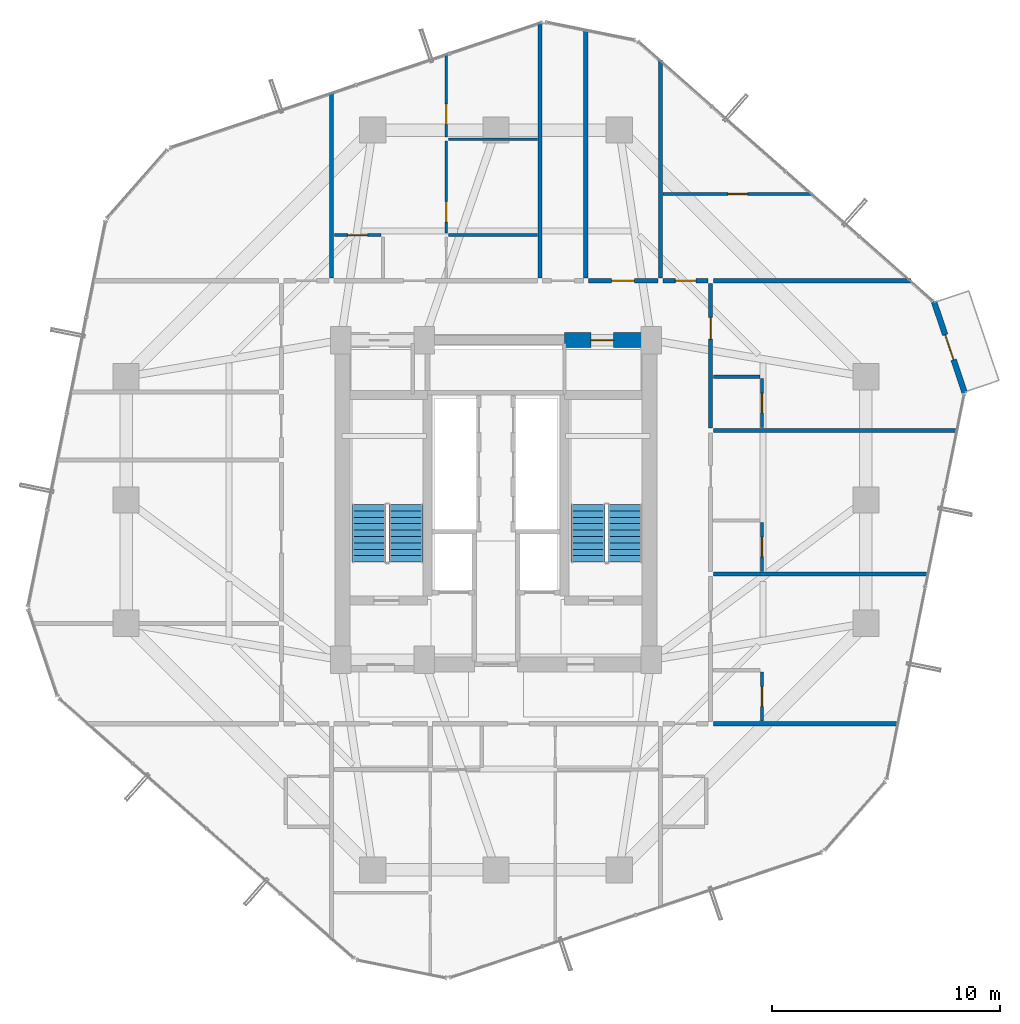
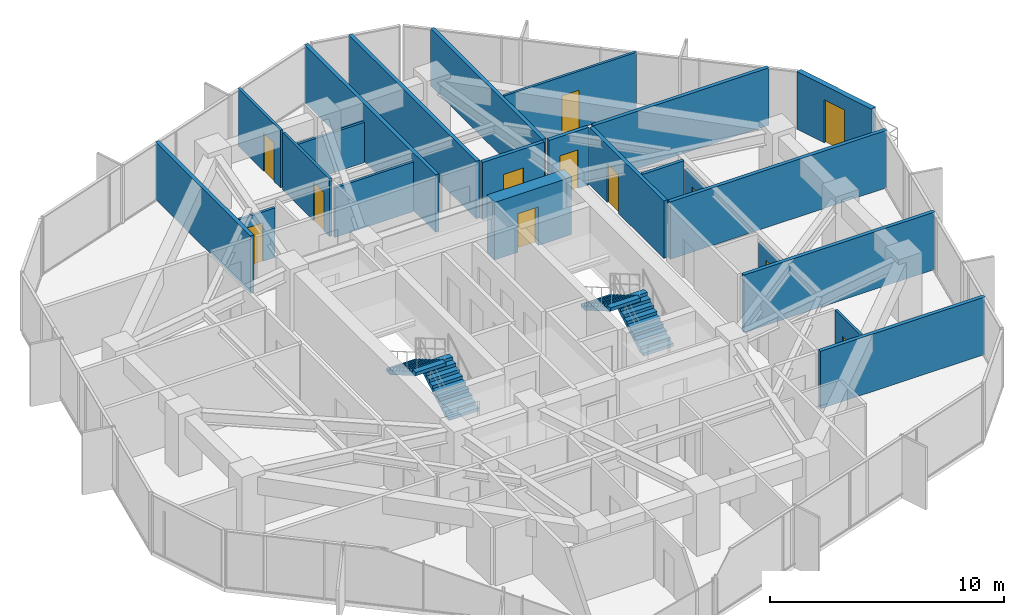
# One storey, part 30 of 32: 23 walls, 12 doors, 4 stair flights, 12 openings, 2 elements without a shape of their own.
"""IFC4 building model written with IfcOpenShell, lengths in metres."""

from ifc_helpers import new_model, si_unit, direction, frame, frame_2d, origin, place, context, subcontext, project, spatial, polyline, rectangle, outline, extrude, source, transform, mapped, material, layer, layer_set, type_object, element, fill, aggregate, save


model = new_model("IFC4")

# Units and contexts
model_context = context("Model", 3, precision=1e-05, world=origin(), true_north=direction((0.0, 1.0)))
body_context = subcontext(model_context, "Body", "Model", "MODEL_VIEW")
ifc_project = project(units=[si_unit("LENGTHUNIT", "METRE"), si_unit("AREAUNIT", "SQUARE_METRE"), si_unit("VOLUMEUNIT", "CUBIC_METRE"), si_unit("PLANEANGLEUNIT", "RADIAN"), si_unit("MASSUNIT", "GRAM", prefix="KILO")], contexts=[model_context])

# Site, building, storey
site_placement = place(None, origin())
site = spatial("IfcSite", under=ifc_project, at=site_placement, CompositionType="ELEMENT")
building_placement = place(site_placement, origin())
building = spatial("IfcBuilding", under=site, at=building_placement, Name="Veraguas Prism Commons", CompositionType="ELEMENT")
storey_placement = place(building_placement, frame((0.0, 0.0, 89.449951171875)))
storey = spatial("IfcBuildingStorey", under=building, at=storey_placement, Name="L24", CompositionType="ELEMENT", Elevation=89.449951171875)

# Wall, opening, door
ifc_material_1 = material(Name="Concrete C55/67", Category="concrete")
ifc_layer_1 = layer(ifc_material_1, 0.64990234375, Name="Core Outer Shear Wall Mid RC 650", Category="concrete")
ifc_layer_set_1 = layer_set([ifc_layer_1], Name="Concrete C55/67")
wall_type_1 = type_object("IfcWallType", Name="Core Outer Shear Wall Mid RC 650", PredefinedType="SHEAR", material=ifc_layer_set_1)
wall_1_placement = place(storey_placement, frame((27.0, 31.0, 0.0), z_axis=(0.0, 0.0, 1.0), x_axis=(1.0, 0.0, 0.0)))
wall_1 = element("IfcWall", 1, at=wall_1_placement, inside=storey, type_object=wall_type_1, Name="Central Core North-East Shear Wall L24", PredefinedType="SHEAR", context=body_context, shape_type="SweptSolid", body=[
    extrude(rectangle(XDim=3.800048828125, YDim=0.64990234375, at=frame_2d((1.89990234375, 0.0))), origin(), (0.0, 0.0, 1.0), 3.0),
])
opening_1_placement = place(wall_1_placement, frame((1.14990234375, 0.0, 0.0)))
opening_1 = element("IfcOpeningElement", 2, at=opening_1_placement, cuts=wall_1, Name="Opening DR-13", PredefinedType="OPENING", context=body_context, shape_type="SweptSolid", body=[
    extrude(rectangle(XDim=1.0, YDim=2.010009765625, at=frame_2d((0.5, 1.0048828125))), frame((0.0, 0.3349609375, 0.0), z_axis=(0.0, -1.0, 0.0), x_axis=(1.0, 0.0, 0.0)), (0.0, 0.0, 1.0), 0.669921875),
])
ifc_material_2 = material(Name="Steel fire-rated door assembly", Category="steel")
door_type_1 = type_object("IfcDoorType", Name="Core Accessible WC and Clinic Fire Door 1000x2010", OperationType="NOTDEFINED", PredefinedType="DOOR", material=ifc_material_2)
shared_shape_1 = source(origin(), body_context, "Body", "SweptSolid", [
    extrude(rectangle(XDim=1.0, YDim=2.010009765625, at=frame_2d((0.5, 1.0048828125))), frame((0.0, 0.02490234375, 0.0), z_axis=(0.0, -1.0, 0.0), x_axis=(1.0, 0.0, 0.0)), (0.0, 0.0, 1.0), 0.050048828125),
])
door_1_placement = place(opening_1_placement, origin())
door_1 = element("IfcDoor", 3, at=door_1_placement, inside=storey, type_object=door_type_1, Name="Core NE Pantry Door L24", OperationType="SINGLE_SWING_LEFT", OverallHeight=2.010009765625, OverallWidth=1.0, PredefinedType="DOOR", context=body_context, shape_type="MappedRepresentation", body=[
    mapped(shared_shape_1, transform((0.0, 0.0, 0.0), scale=1.0)),
])
fill(opening_1, door_1)

# Walls
ifc_material_3 = material(Name="Autoclaved aerated masonry block 10 MPa", Category="masonry")
ifc_layer_2 = layer(ifc_material_3, 0.179931640625, Name="Corridor and Inter-Tenancy Partition 180", Category="masonry")
ifc_layer_set_2 = layer_set([ifc_layer_2], Name="Autoclaved aerated masonry block 10 MPa")
wall_type_2 = type_object("IfcWallType", Name="Corridor and Inter-Tenancy Partition 180", PredefinedType="PARTITIONING", material=ifc_layer_set_2)
wall_2_placement = place(storey_placement, frame((16.800048828125, 33.719970703125, 0.0), z_axis=(0.0, 0.0, 1.0), x_axis=(0.0, 1.0, 0.0)))
element("IfcWall", 4, at=wall_2_placement, inside=storey, type_object=wall_type_2, Name="WL-L24-PT015", PredefinedType="PARTITIONING", context=body_context, shape_type="SweptSolid", body=[
    extrude(rectangle(XDim=8.1279296875, YDim=0.179931640625, at=frame_2d((4.06396484375, 0.0))), origin(), (0.0, 0.0, 1.0), 3.0),
])
wall_3_placement = place(storey_placement, frame((31.199951171875, 33.719970703125, 0.0), z_axis=(0.0, 0.0, 1.0), x_axis=(0.0, 1.0, 0.0)))
element("IfcWall", 5, at=wall_3_placement, inside=storey, type_object=wall_type_2, Name="WL-L24-PT016", PredefinedType="PARTITIONING", context=body_context, shape_type="SweptSolid", body=[
    extrude(rectangle(XDim=9.541748046875, YDim=0.179931640625, at=frame_2d((4.77099609375, 0.0))), origin(), (0.0, 0.0, 1.0), 3.0),
])
wall_4_placement = place(storey_placement, frame((25.927978515625, 33.719970703125, 0.0), z_axis=(0.0, 0.0, 1.0), x_axis=(0.0, 1.0, 0.0)))
element("IfcWall", 6, at=wall_4_placement, inside=storey, type_object=wall_type_2, Name="WL-L24-PT025", PredefinedType="PARTITIONING", context=body_context, shape_type="SweptSolid", body=[
    extrude(rectangle(XDim=11.203125, YDim=0.179931640625, at=frame_2d((5.6015625, 0.0))), origin(), (0.0, 0.0, 1.0), 3.0),
])

# Wall, opening, door
wall_5_placement = place(storey_placement, frame((28.041015625, 33.60009765625, 0.0), z_axis=(0.0, 0.0, 1.0), x_axis=(1.0, 0.0, 0.0)))
wall_5 = element("IfcWall", 7, at=wall_5_placement, inside=storey, type_object=wall_type_2, Name="WL-L24-PT027", PredefinedType="PARTITIONING", context=body_context, shape_type="SweptSolid", body=[
    extrude(rectangle(XDim=3.049072265625, YDim=0.179931640625, at=frame_2d((1.5244140625, 0.0))), origin(), (0.0, 0.0, 1.0), 3.0),
])
opening_2_placement = place(wall_5_placement, frame((1.0244140625, 0.0, 0.0)))
opening_2 = element("IfcOpeningElement", 8, at=opening_2_placement, cuts=wall_5, Name="Opening DR-13", PredefinedType="OPENING", context=body_context, shape_type="SweptSolid", body=[
    extrude(rectangle(XDim=1.0, YDim=2.010009765625, at=frame_2d((0.5, 1.0048828125))), frame((0.0, 0.099853515625, 0.0), z_axis=(0.0, -1.0, 0.0), x_axis=(1.0, 0.0, 0.0)), (0.0, 0.0, 1.0), 0.199951171875),
])
door_2_placement = place(opening_2_placement, origin())
door_2 = element("IfcDoor", 9, at=door_2_placement, inside=storey, type_object=door_type_1, Name="Co-op Store N Door", OperationType="SINGLE_SWING_LEFT", OverallHeight=2.010009765625, OverallWidth=1.0, PredefinedType="DOOR", context=body_context, shape_type="MappedRepresentation", body=[
    mapped(shared_shape_1, transform((0.0, 0.0, 0.0), scale=1.0)),
])
fill(opening_2, door_2)

# Walls
wall_6_placement = place(storey_placement, frame((27.930908203125, 33.719970703125, 0.0), z_axis=(0.0, 0.0, 1.0), x_axis=(0.0, 1.0, 0.0)))
element("IfcWall", 10, at=wall_6_placement, inside=storey, type_object=wall_type_2, Name="WL-L24-PT028", PredefinedType="PARTITIONING", context=body_context, shape_type="SweptSolid", body=[
    extrude(rectangle(XDim=10.890625, YDim=0.179931640625, at=frame_2d((5.4453125, 0.0))), origin(), (0.0, 0.0, 1.0), 3.0),
])
wall_7_placement = place(storey_placement, frame((33.52001953125, 14.199951171875, 0.0), z_axis=(0.0, 0.0, 1.0), x_axis=(1.0, 0.0, 0.0)))
element("IfcWall", 11, at=wall_7_placement, inside=storey, type_object=wall_type_2, Name="WL-L24-PT038", PredefinedType="PARTITIONING", context=body_context, shape_type="SweptSolid", body=[
    extrude(rectangle(XDim=8.105224609375, YDim=0.179931640625, at=frame_2d((4.052734375, 0.0))), origin(), (0.0, 0.0, 1.0), 3.0),
])
wall_8_placement = place(storey_placement, frame((33.52001953125, 33.60009765625, 0.0), z_axis=(0.0, 0.0, 1.0), x_axis=(1.0, 0.0, 0.0)))
element("IfcWall", 12, at=wall_8_placement, inside=storey, type_object=wall_type_2, Name="WL-L24-PT039", PredefinedType="PARTITIONING", context=body_context, shape_type="SweptSolid", body=[
    extrude(rectangle(XDim=8.646728515625, YDim=0.179931640625, at=frame_2d((4.3232421875, 0.0))), origin(), (0.0, 0.0, 1.0), 3.0),
])
wall_9_placement = place(storey_placement, frame((33.52001953125, 20.751953125, 0.0), z_axis=(0.0, 0.0, 1.0), x_axis=(1.0, 0.0, 0.0)))
element("IfcWall", 13, at=wall_9_placement, inside=storey, type_object=wall_type_2, Name="WL-L24-PT043", PredefinedType="PARTITIONING", context=body_context, shape_type="SweptSolid", body=[
    extrude(rectangle(XDim=9.424072265625, YDim=0.179931640625, at=frame_2d((4.7119140625, 0.0))), origin(), (0.0, 0.0, 1.0), 3.0),
])
wall_10_placement = place(storey_placement, frame((33.52001953125, 27.048095703125, 0.0), z_axis=(0.0, 0.0, 1.0), x_axis=(1.0, 0.0, 0.0)))
element("IfcWall", 14, at=wall_10_placement, inside=storey, type_object=wall_type_2, Name="WL-L24-PT047", PredefinedType="PARTITIONING", context=body_context, shape_type="SweptSolid", body=[
    extrude(rectangle(XDim=10.691162109375, YDim=0.179931640625, at=frame_2d((5.345703125, 0.0))), origin(), (0.0, 0.0, 1.0), 3.0),
])

# Wall, opening, door
wall_11_placement = place(storey_placement, frame((33.39990234375, 27.157958984375, 0.0), z_axis=(0.0, 0.0, 1.0), x_axis=(0.0, 1.0, 0.0)))
wall_11 = element("IfcWall", 15, at=wall_11_placement, inside=storey, type_object=wall_type_2, Name="WL-L24-PT048", PredefinedType="PARTITIONING", context=body_context, shape_type="SweptSolid", body=[
    extrude(rectangle(XDim=6.33203125, YDim=0.179931640625, at=frame_2d((3.166015625, 0.0))), origin(), (0.0, 0.0, 1.0), 3.0),
])
opening_3_placement = place(wall_11_placement, frame((3.88671875, 0.0, 0.0)))
opening_3 = element("IfcOpeningElement", 16, at=opening_3_placement, cuts=wall_11, Name="Opening DR-01", PredefinedType="OPENING", context=body_context, shape_type="SweptSolid", body=[
    extrude(rectangle(XDim=0.949951171875, YDim=2.02001953125, at=frame_2d((0.47509765625, 1.010009765625))), frame((0.0, 0.099853515625, 0.0), z_axis=(0.0, -1.0, 0.0), x_axis=(1.0, 0.0, 0.0)), (0.0, 0.0, 1.0), 0.199951171875),
])
ifc_material_4 = material(Name="Anodised aluminium EN AW-6063 T6", Category="aluminium")
door_type_2 = type_object("IfcDoorType", Name="Apartment Entrance Fire Door 950x2020", OperationType="NOTDEFINED", PredefinedType="DOOR", material=ifc_material_4)
shared_shape_2 = source(origin(), body_context, "Body", "SweptSolid", [
    extrude(rectangle(XDim=0.949951171875, YDim=2.02001953125, at=frame_2d((0.47509765625, 1.010009765625))), frame((0.0, 0.02490234375, 0.0), z_axis=(0.0, -1.0, 0.0), x_axis=(1.0, 0.0, 0.0)), (0.0, 0.0, 1.0), 0.050048828125),
])
door_3_placement = place(opening_3_placement, origin())
door_3 = element("IfcDoor", 17, at=door_3_placement, inside=storey, type_object=door_type_2, Name="Studio 24E Entrance Door", OperationType="SINGLE_SWING_RIGHT", OverallHeight=2.02001953125, OverallWidth=0.949951171875, PredefinedType="DOOR", context=body_context, shape_type="MappedRepresentation", body=[
    mapped(shared_shape_2, transform((0.0, 0.0, 0.0), scale=1.0)),
])
fill(opening_3, door_3)

wall_12_placement = place(storey_placement, frame((31.320068359375, 33.60009765625, 0.0), z_axis=(0.0, 0.0, 1.0), x_axis=(1.0, 0.0, 0.0)))
wall_12 = element("IfcWall", 18, at=wall_12_placement, inside=storey, type_object=wall_type_2, Name="WL-L24-PT060", PredefinedType="PARTITIONING", context=body_context, shape_type="SweptSolid", body=[
    extrude(rectangle(XDim=1.9599609375, YDim=0.179931640625, at=frame_2d((0.97998046875, 0.0))), origin(), (0.0, 0.0, 1.0), 3.0),
])
opening_4_placement = place(wall_12_placement, frame((0.530029296875, 0.0, 0.0)))
opening_4 = element("IfcOpeningElement", 19, at=opening_4_placement, cuts=wall_12, Name="Opening DR-14", PredefinedType="OPENING", context=body_context, shape_type="SweptSolid", body=[
    extrude(rectangle(XDim=0.89990234375, YDim=2.010009765625, at=frame_2d((0.449951171875, 1.0048828125))), frame((0.0, 0.099853515625, 0.0), z_axis=(0.0, -1.0, 0.0), x_axis=(1.0, 0.0, 0.0)), (0.0, 0.0, 1.0), 0.199951171875),
])
door_type_3 = type_object("IfcDoorType", Name="Core Service Room Fire Door 900x2010", OperationType="NOTDEFINED", PredefinedType="DOOR", material=ifc_material_2)
shared_shape_3 = source(origin(), body_context, "Body", "SweptSolid", [
    extrude(rectangle(XDim=0.89990234375, YDim=2.010009765625, at=frame_2d((0.449951171875, 1.0048828125))), frame((0.0, 0.02490234375, 0.0), z_axis=(0.0, -1.0, 0.0), x_axis=(1.0, 0.0, 0.0)), (0.0, 0.0, 1.0), 0.050048828125),
])
door_4_placement = place(opening_4_placement, origin())
door_4 = element("IfcDoor", 20, at=door_4_placement, inside=storey, type_object=door_type_3, Name="Shared Laundry Room Door", OperationType="SINGLE_SWING_LEFT", OverallHeight=2.010009765625, OverallWidth=0.89990234375, PredefinedType="DOOR", context=body_context, shape_type="MappedRepresentation", body=[
    mapped(shared_shape_3, transform((0.0, 0.0, 0.0), scale=1.0)),
])
fill(opening_4, door_4)

ifc_material_5 = material(Name="Precast concrete C40/50", Category="concrete")
ifc_layer_3 = layer(ifc_material_5, 0.25, Name="External Loggia and Portal Wall 250", Category="concrete")
ifc_layer_set_3 = layer_set([ifc_layer_3], Name="Precast concrete C40/50")
wall_type_3 = type_object("IfcWallType", Name="External Loggia and Portal Wall 250", PredefinedType="SOLIDWALL", material=ifc_layer_set_3)
wall_13_placement = place(storey_placement, frame((44.5302734375, 28.68359375, 0.0), z_axis=(0.0, 0.0, 1.0), x_axis=(-0.319271209233, 0.947663386944, 0.0)))
wall_13 = element("IfcWall", 21, at=wall_13_placement, inside=storey, type_object=wall_type_3, Name="Corner Loggia Wall L24-C1", PredefinedType="SOLIDWALL", context=body_context, shape_type="SweptSolid", body=[
    extrude(rectangle(XDim=4.233154296875, YDim=0.25, at=frame_2d((2.11669921875, 0.0))), origin(), (0.0, 0.0, 1.0), 3.0),
])
opening_5_placement = place(wall_13_placement, frame((1.5419921875, 0.0, 0.0)))
opening_5 = element("IfcOpeningElement", 22, at=opening_5_placement, cuts=wall_13, Name="Opening DR-10", PredefinedType="OPENING", context=body_context, shape_type="SweptSolid", body=[
    extrude(rectangle(XDim=1.14990234375, YDim=2.25, at=frame_2d((0.574951171875, 1.125))), frame((0.0, 0.135009765625, 0.0), z_axis=(0.0, -1.0, 0.0), x_axis=(1.0, 0.0, 0.0)), (0.0, 0.0, 1.0), 0.27001953125),
])
door_type_4 = type_object("IfcDoorType", Name="Glazed Loggia and Terrace Door 1150x2250", OperationType="NOTDEFINED", PredefinedType="DOOR", material=ifc_material_4)
shared_shape_4 = source(origin(), body_context, "Body", "SweptSolid", [
    extrude(rectangle(XDim=1.14990234375, YDim=2.25, at=frame_2d((0.574951171875, 1.125))), frame((0.0, 0.02490234375, 0.0), z_axis=(0.0, -1.0, 0.0), x_axis=(1.0, 0.0, 0.0)), (0.0, 0.0, 1.0), 0.050048828125),
])
door_5_placement = place(opening_5_placement, frame((1.14990234375, 0.0, 0.0), z_axis=(0.0, 0.0, 1.0), x_axis=(-1.0, 0.0, 0.0)))
door_5 = element("IfcDoor", 23, at=door_5_placement, inside=storey, type_object=door_type_4, Name="Recessed Loggia Door L24-C1", OperationType="SINGLE_SWING_RIGHT", OverallHeight=2.25, OverallWidth=1.14990234375, PredefinedType="DOOR", context=body_context, shape_type="MappedRepresentation", body=[
    mapped(shared_shape_4, transform((0.0, 0.0, 0.0), scale=1.0)),
])
fill(opening_5, door_5)

ifc_material_6 = material(Name="Lightweight acoustic gypsum board")
ifc_layer_4 = layer(ifc_material_6, 0.125, Name="Internal Apartment Room Partition 125")
ifc_layer_set_4 = layer_set([ifc_layer_4], Name="Lightweight acoustic gypsum board")
wall_type_4 = type_object("IfcWallType", Name="Internal Apartment Room Partition 125", PredefinedType="PARTITIONING", material=ifc_layer_set_4)
wall_14_placement = place(storey_placement, frame((16.919921875, 35.60009765625, 0.0), z_axis=(0.0, 0.0, 1.0), x_axis=(1.0, 0.0, 0.0)))
wall_14 = element("IfcWall", 24, at=wall_14_placement, inside=storey, type_object=wall_type_4, Name="WL-L24-PT019", PredefinedType="PARTITIONING", context=body_context, shape_type="SweptSolid", body=[
    extrude(rectangle(XDim=2.050048828125, YDim=0.125, at=frame_2d((1.02490234375, 0.0))), origin(), (0.0, 0.0, 1.0), 2.580078125),
])
opening_6_placement = place(wall_14_placement, frame((0.594970703125, 0.0, 0.0)))
opening_6 = element("IfcOpeningElement", 25, at=opening_6_placement, cuts=wall_14, Name="Opening DR-03", PredefinedType="OPENING", context=body_context, shape_type="SweptSolid", body=[
    extrude(rectangle(XDim=0.860107421875, YDim=2.010009765625, at=frame_2d((0.43017578125, 1.0048828125))), frame((0.0, 0.072509765625, 0.0), z_axis=(0.0, -1.0, 0.0), x_axis=(1.0, 0.0, 0.0)), (0.0, 0.0, 1.0), 0.14501953125),
])
ifc_material_7 = material(Name="Timber moisture-resistant leaf", Category="wood")
door_type_5 = type_object("IfcDoorType", Name="Internal Bathroom Door 860x2010", OperationType="NOTDEFINED", PredefinedType="DOOR", material=ifc_material_7)
shared_shape_5 = source(origin(), body_context, "Body", "SweptSolid", [
    extrude(rectangle(XDim=0.860107421875, YDim=2.010009765625, at=frame_2d((0.43017578125, 1.0048828125))), frame((0.0, 0.02490234375, 0.0), z_axis=(0.0, -1.0, 0.0), x_axis=(1.0, 0.0, 0.0)), (0.0, 0.0, 1.0), 0.050048828125),
])
door_6_placement = place(opening_6_placement, origin())
door_6 = element("IfcDoor", 26, at=door_6_placement, inside=storey, type_object=door_type_5, Name="Flat 24B Bathroom Door", OperationType="SINGLE_SWING_RIGHT", OverallHeight=2.010009765625, OverallWidth=0.860107421875, PredefinedType="DOOR", context=body_context, shape_type="MappedRepresentation", body=[
    mapped(shared_shape_5, transform((0.0, 0.0, 0.0), scale=1.0)),
])
fill(opening_6, door_6)

# Walls
wall_15_placement = place(storey_placement, frame((21.919921875, 35.60009765625, 0.0), z_axis=(0.0, 0.0, 1.0), x_axis=(1.0, 0.0, 0.0)))
element("IfcWall", 27, at=wall_15_placement, inside=storey, type_object=wall_type_4, Name="WL-L24-PT021", PredefinedType="PARTITIONING", context=body_context, shape_type="SweptSolid", body=[
    extrude(rectangle(XDim=3.88818359375, YDim=0.125, at=frame_2d((1.944091796875, 0.0))), origin(), (0.0, 0.0, 1.0), 2.580078125),
])
wall_16_placement = place(storey_placement, frame((21.919921875, 39.800048828125, 0.0), z_axis=(0.0, 0.0, 1.0), x_axis=(1.0, 0.0, 0.0)))
element("IfcWall", 28, at=wall_16_placement, inside=storey, type_object=wall_type_4, Name="WL-L24-PT022", PredefinedType="PARTITIONING", context=body_context, shape_type="SweptSolid", body=[
    extrude(rectangle(XDim=3.88818359375, YDim=0.125, at=frame_2d((1.944091796875, 0.0))), origin(), (0.0, 0.0, 1.0), 2.10009765625),
])

# Wall, opening, door
wall_17_placement = place(storey_placement, frame((21.820068359375, 35.699951171875, 0.0), z_axis=(0.0, 0.0, 1.0), x_axis=(0.0, 1.0, 0.0)))
wall_17 = element("IfcWall", 29, at=wall_17_placement, inside=storey, type_object=wall_type_4, Name="WL-L24-PT023", PredefinedType="PARTITIONING", context=body_context, shape_type="SweptSolid", body=[
    extrude(rectangle(XDim=4.02001953125, YDim=0.125, at=frame_2d((2.010009765625, 0.0))), origin(), (0.0, 0.0, 1.0), 3.0),
])
opening_7_placement = place(wall_17_placement, frame((0.471923828125, 0.0, 0.0)))
opening_7 = element("IfcOpeningElement", 30, at=opening_7_placement, cuts=wall_17, Name="Opening DR-02", PredefinedType="OPENING", context=body_context, shape_type="SweptSolid", body=[
    extrude(rectangle(XDim=0.89990234375, YDim=2.010009765625, at=frame_2d((0.449951171875, 1.0048828125))), frame((0.0, 0.072509765625, 0.0), z_axis=(0.0, -1.0, 0.0), x_axis=(1.0, 0.0, 0.0)), (0.0, 0.0, 1.0), 0.14501953125),
])
ifc_material_8 = material(Name="Timber solid core hardwood", Category="wood")
door_type_6 = type_object("IfcDoorType", Name="Internal Habitable Room Door 900x2010", OperationType="NOTDEFINED", PredefinedType="DOOR", material=ifc_material_8)
door_7_placement = place(opening_7_placement, origin())
door_7 = element("IfcDoor", 31, at=door_7_placement, inside=storey, type_object=door_type_6, Name="Flat 24B Bedroom 1 Door", OperationType="SINGLE_SWING_RIGHT", OverallHeight=2.010009765625, OverallWidth=0.89990234375, PredefinedType="DOOR", context=body_context, shape_type="MappedRepresentation", body=[
    mapped(shared_shape_3, transform((0.0, 0.0, 0.0), scale=1.0)),
])
fill(opening_7, door_7)

wall_18_placement = place(storey_placement, frame((21.820068359375, 39.89990234375, 0.0), z_axis=(0.0, 0.0, 1.0), x_axis=(0.0, 1.0, 0.0)))
wall_18 = element("IfcWall", 32, at=wall_18_placement, inside=storey, type_object=wall_type_4, Name="WL-L24-PT024", PredefinedType="PARTITIONING", context=body_context, shape_type="SweptSolid", body=[
    extrude(rectangle(XDim=3.63916015625, YDim=0.125, at=frame_2d((1.819580078125, 0.0))), origin(), (0.0, 0.0, 1.0), 3.0),
])
opening_8_placement = place(wall_18_placement, frame((0.55078125, 0.0, 0.0)))
opening_8 = element("IfcOpeningElement", 33, at=opening_8_placement, cuts=wall_18, Name="Opening DR-02", PredefinedType="OPENING", context=body_context, shape_type="SweptSolid", body=[
    extrude(rectangle(XDim=0.89990234375, YDim=2.010009765625, at=frame_2d((0.449951171875, 1.0048828125))), frame((0.0, 0.072509765625, 0.0), z_axis=(0.0, -1.0, 0.0), x_axis=(1.0, 0.0, 0.0)), (0.0, 0.0, 1.0), 0.14501953125),
])
door_8_placement = place(opening_8_placement, origin())
door_8 = element("IfcDoor", 34, at=door_8_placement, inside=storey, type_object=door_type_6, Name="Flat 24B Bedroom 2 Door", OperationType="SINGLE_SWING_LEFT", OverallHeight=2.010009765625, OverallWidth=0.89990234375, PredefinedType="DOOR", context=body_context, shape_type="MappedRepresentation", body=[
    mapped(shared_shape_3, transform((0.0, 0.0, 0.0), scale=1.0)),
])
fill(opening_8, door_8)

wall_19_placement = place(storey_placement, frame((35.64990234375, 14.320068359375, 0.0), z_axis=(0.0, 0.0, 1.0), x_axis=(0.0, 1.0, 0.0)))
wall_19 = element("IfcWall", 35, at=wall_19_placement, inside=storey, type_object=wall_type_4, Name="WL-L24-PT042", PredefinedType="PARTITIONING", context=body_context, shape_type="SweptSolid", body=[
    extrude(rectangle(XDim=2.14990234375, YDim=0.125, at=frame_2d((1.074951171875, 0.0))), origin(), (0.0, 0.0, 1.0), 3.0),
])
opening_9_placement = place(wall_19_placement, frame((0.64501953125, 0.0, 0.0)))
opening_9 = element("IfcOpeningElement", 36, at=opening_9_placement, cuts=wall_19, Name="Opening DR-03", PredefinedType="OPENING", context=body_context, shape_type="SweptSolid", body=[
    extrude(rectangle(XDim=0.860107421875, YDim=2.010009765625, at=frame_2d((0.43017578125, 1.0048828125))), frame((0.0, 0.072509765625, 0.0), z_axis=(0.0, -1.0, 0.0), x_axis=(1.0, 0.0, 0.0)), (0.0, 0.0, 1.0), 0.14501953125),
])
door_9_placement = place(opening_9_placement, origin())
door_9 = element("IfcDoor", 37, at=door_9_placement, inside=storey, type_object=door_type_5, Name="Studio 24C Bathroom Door", OperationType="SINGLE_SWING_LEFT", OverallHeight=2.010009765625, OverallWidth=0.860107421875, PredefinedType="DOOR", context=body_context, shape_type="MappedRepresentation", body=[
    mapped(shared_shape_5, transform((0.0, 0.0, 0.0), scale=1.0)),
])
fill(opening_9, door_9)

wall_20_placement = place(storey_placement, frame((35.64990234375, 20.8720703125, 0.0), z_axis=(0.0, 0.0, 1.0), x_axis=(0.0, 1.0, 0.0)))
wall_20 = element("IfcWall", 38, at=wall_20_placement, inside=storey, type_object=wall_type_4, Name="WL-L24-PT046", PredefinedType="PARTITIONING", context=body_context, shape_type="SweptSolid", body=[
    extrude(rectangle(XDim=2.14990234375, YDim=0.125, at=frame_2d((1.074951171875, 0.0))), origin(), (0.0, 0.0, 1.0), 2.580078125),
])
opening_10_placement = place(wall_20_placement, frame((0.64501953125, 0.0, 0.0)))
opening_10 = element("IfcOpeningElement", 39, at=opening_10_placement, cuts=wall_20, Name="Opening DR-03", PredefinedType="OPENING", context=body_context, shape_type="SweptSolid", body=[
    extrude(rectangle(XDim=0.860107421875, YDim=2.010009765625, at=frame_2d((0.43017578125, 1.0048828125))), frame((0.0, 0.072509765625, 0.0), z_axis=(0.0, -1.0, 0.0), x_axis=(1.0, 0.0, 0.0)), (0.0, 0.0, 1.0), 0.14501953125),
])
door_10_placement = place(opening_10_placement, origin())
door_10 = element("IfcDoor", 40, at=door_10_placement, inside=storey, type_object=door_type_5, Name="Studio 24D Bathroom Door", OperationType="SINGLE_SWING_LEFT", OverallHeight=2.010009765625, OverallWidth=0.860107421875, PredefinedType="DOOR", context=body_context, shape_type="MappedRepresentation", body=[
    mapped(shared_shape_5, transform((0.0, 0.0, 0.0), scale=1.0)),
])
fill(opening_10, door_10)

wall_21_placement = place(storey_placement, frame((35.64990234375, 27.16796875, 0.0), z_axis=(0.0, 0.0, 1.0), x_axis=(0.0, 1.0, 0.0)))
wall_21 = element("IfcWall", 41, at=wall_21_placement, inside=storey, type_object=wall_type_4, Name="WL-L24-PT050", PredefinedType="PARTITIONING", context=body_context, shape_type="SweptSolid", body=[
    extrude(rectangle(XDim=2.150146484375, YDim=0.125, at=frame_2d((1.0751953125, 0.0))), origin(), (0.0, 0.0, 1.0), 2.580078125),
])
opening_11_placement = place(wall_21_placement, frame((0.64501953125, 0.0, 0.0)))
opening_11 = element("IfcOpeningElement", 42, at=opening_11_placement, cuts=wall_21, Name="Opening DR-03", PredefinedType="OPENING", context=body_context, shape_type="SweptSolid", body=[
    extrude(rectangle(XDim=0.860107421875, YDim=2.010009765625, at=frame_2d((0.43017578125, 1.0048828125))), frame((0.0, 0.072509765625, 0.0), z_axis=(0.0, -1.0, 0.0), x_axis=(1.0, 0.0, 0.0)), (0.0, 0.0, 1.0), 0.14501953125),
])
door_11_placement = place(opening_11_placement, origin())
door_11 = element("IfcDoor", 43, at=door_11_placement, inside=storey, type_object=door_type_5, Name="Studio 24E Bathroom Door", OperationType="SINGLE_SWING_LEFT", OverallHeight=2.010009765625, OverallWidth=0.860107421875, PredefinedType="DOOR", context=body_context, shape_type="MappedRepresentation", body=[
    mapped(shared_shape_5, transform((0.0, 0.0, 0.0), scale=1.0)),
])
fill(opening_11, door_11)

wall_22_placement = place(storey_placement, frame((31.320068359375, 37.39990234375, 0.0), z_axis=(0.0, 0.0, 1.0), x_axis=(1.0, 0.0, 0.0)))
wall_22 = element("IfcWall", 44, at=wall_22_placement, inside=storey, type_object=wall_type_4, Name="WL-L24-PT061", PredefinedType="PARTITIONING", context=body_context, shape_type="SweptSolid", body=[
    extrude(rectangle(XDim=6.533447265625, YDim=0.125, at=frame_2d((3.2666015625, 0.0))), origin(), (0.0, 0.0, 1.0), 3.0),
])
opening_12_placement = place(wall_22_placement, frame((2.836669921875, 0.0, 0.0)))
opening_12 = element("IfcOpeningElement", 45, at=opening_12_placement, cuts=wall_22, Name="Opening DR-03", PredefinedType="OPENING", context=body_context, shape_type="SweptSolid", body=[
    extrude(rectangle(XDim=0.860107421875, YDim=2.010009765625, at=frame_2d((0.43017578125, 1.0048828125))), frame((0.0, 0.072509765625, 0.0), z_axis=(0.0, -1.0, 0.0), x_axis=(1.0, 0.0, 0.0)), (0.0, 0.0, 1.0), 0.14501953125),
])
door_12_placement = place(opening_12_placement, origin())
door_12 = element("IfcDoor", 46, at=door_12_placement, inside=storey, type_object=door_type_5, Name="Corner Store NE Door", OperationType="SINGLE_SWING_RIGHT", OverallHeight=2.010009765625, OverallWidth=0.860107421875, PredefinedType="DOOR", context=body_context, shape_type="MappedRepresentation", body=[
    mapped(shared_shape_5, transform((0.0, 0.0, 0.0), scale=1.0)),
])
fill(opening_12, door_12)

# Wall
ifc_layer_5 = layer(ifc_material_6, 0.14990234375, Name="Wet Room and Clinic Acoustic Partition 150")
ifc_layer_set_5 = layer_set([ifc_layer_5], Name="Lightweight acoustic gypsum board")
wall_type_5 = type_object("IfcWallType", Name="Wet Room and Clinic Acoustic Partition 150", PredefinedType="PARTITIONING", material=ifc_layer_set_5)
wall_23_placement = place(storey_placement, frame((33.52001953125, 29.39794921875, 0.0), z_axis=(0.0, 0.0, 1.0), x_axis=(1.0, 0.0, 0.0)))
element("IfcWall", 47, at=wall_23_placement, inside=storey, type_object=wall_type_5, Name="WL-L24-PT049", PredefinedType="PARTITIONING", context=body_context, shape_type="SweptSolid", body=[
    extrude(rectangle(XDim=2.050048828125, YDim=0.14990234375, at=frame_2d((1.02490234375, 0.0))), origin(), (0.0, 0.0, 1.0), 3.0),
])

# Stair, stair flights
ifc_material_9 = material(Name="Precast concrete C45/55", Category="concrete")
stair_type = type_object("IfcStairType", Name="Dogleg Core Stair 1480W 20R 05", PredefinedType="HALF_TURN_STAIR", material=ifc_material_9)
stair_1_placement = place(storey_placement, origin())
stair_1 = element("IfcStair", 48, at=stair_1_placement, inside=storey, type_object=stair_type, Name="Protected Exit Stair ST-01 L24", PredefinedType="HALF_TURN_STAIR")
stair_flight_type = type_object("IfcStairFlightType", Name="Precast Stair Flight 1480W 10R 05", PredefinedType="STRAIGHT", material=ifc_material_9)
stair_flight_1_placement = place(storey_placement, frame((20.06005859375, 21.280029296875, 0.0), z_axis=(0.0, 0.0, 1.0), x_axis=(0.0, 1.0, 0.0)))
stair_flight_1 = element("IfcStairFlight", 49, at=stair_flight_1_placement, type_object=stair_flight_type, Name="ST-05 Flight 1", NumberOfRisers=10, NumberOfTreads=9, PredefinedType="STRAIGHT", RiserHeight=0.1625, TreadLength=0.28, context=body_context, shape_type="SweptSolid", body=[
    extrude(outline(polyline([(0.0, 0.0), (0.0, 0.16259765625), (0.280029296875, 0.16259765625), (0.280029296875, 0.324951171875), (0.56005859375, 0.324951171875), (0.56005859375, 0.487548828125), (0.840087890625, 0.487548828125), (0.840087890625, 0.64990234375), (1.1201171875, 0.64990234375), (1.1201171875, 0.8125), (1.39990234375, 0.8125), (1.39990234375, 0.97509765625), (1.679931640625, 0.97509765625), (1.679931640625, 1.137451171875), (1.9599609375, 1.137451171875), (1.9599609375, 1.300048828125), (2.239990234375, 1.300048828125), (2.239990234375, 1.46240234375), (2.52001953125, 1.46240234375), (2.52001953125, 1.625), (2.52001953125, 1.2890625), (0.298583984375, 0.0), (0.0, 0.0)])), frame((0.0, 0.739990234375, 0.0), z_axis=(0.0, -1.0, 0.0), x_axis=(1.0, 0.0, 0.0)), (0.0, 0.0, 1.0), 1.47998046875),
])
stair_flight_2_placement = place(storey_placement, frame((18.429931640625, 23.800048828125, 1.625), z_axis=(0.0, 0.0, 1.0), x_axis=(0.0, -1.0, 0.0)))
stair_flight_2 = element("IfcStairFlight", 50, at=stair_flight_2_placement, type_object=stair_flight_type, Name="ST-05 Flight 2", NumberOfRisers=10, NumberOfTreads=9, PredefinedType="STRAIGHT", RiserHeight=0.1625, TreadLength=0.28, context=body_context, shape_type="SweptSolid", body=[
    extrude(outline(polyline([(0.0, 0.0), (0.0, 0.16259765625), (0.280029296875, 0.16259765625), (0.280029296875, 0.324951171875), (0.56005859375, 0.324951171875), (0.56005859375, 0.487548828125), (0.840087890625, 0.487548828125), (0.840087890625, 0.64990234375), (1.1201171875, 0.64990234375), (1.1201171875, 0.8125), (1.39990234375, 0.8125), (1.39990234375, 0.97509765625), (1.679931640625, 0.97509765625), (1.679931640625, 1.137451171875), (1.9599609375, 1.137451171875), (1.9599609375, 1.300048828125), (2.239990234375, 1.300048828125), (2.239990234375, 1.46240234375), (2.52001953125, 1.46240234375), (2.52001953125, 1.625), (2.52001953125, 1.2890625), (0.298583984375, 0.0), (0.0, 0.0)])), frame((0.0, 0.739990234375, 0.0), z_axis=(0.0, -1.0, 0.0), x_axis=(1.0, 0.0, 0.0)), (0.0, 0.0, 1.0), 1.47998046875),
])
aggregate(stair_1, [stair_flight_1, stair_flight_2])

stair_2_placement = place(storey_placement, origin())
stair_2 = element("IfcStair", 51, at=stair_2_placement, inside=storey, type_object=stair_type, Name="Protected Exit Stair ST-02 L24", PredefinedType="HALF_TURN_STAIR")
stair_flight_3_placement = place(storey_placement, frame((29.659912109375, 21.280029296875, 0.0), z_axis=(0.0, 0.0, 1.0), x_axis=(0.0, 1.0, 0.0)))
stair_flight_3 = element("IfcStairFlight", 52, at=stair_flight_3_placement, type_object=stair_flight_type, Name="ST-05 Flight 1", NumberOfRisers=10, NumberOfTreads=9, PredefinedType="STRAIGHT", RiserHeight=0.1625, TreadLength=0.28, context=body_context, shape_type="SweptSolid", body=[
    extrude(outline(polyline([(0.0, 0.0), (0.0, 0.16259765625), (0.280029296875, 0.16259765625), (0.280029296875, 0.324951171875), (0.56005859375, 0.324951171875), (0.56005859375, 0.487548828125), (0.840087890625, 0.487548828125), (0.840087890625, 0.64990234375), (1.1201171875, 0.64990234375), (1.1201171875, 0.8125), (1.39990234375, 0.8125), (1.39990234375, 0.97509765625), (1.679931640625, 0.97509765625), (1.679931640625, 1.137451171875), (1.9599609375, 1.137451171875), (1.9599609375, 1.300048828125), (2.239990234375, 1.300048828125), (2.239990234375, 1.46240234375), (2.52001953125, 1.46240234375), (2.52001953125, 1.625), (2.52001953125, 1.2890625), (0.298583984375, 0.0), (0.0, 0.0)])), frame((0.0, 0.739990234375, 0.0), z_axis=(0.0, -1.0, 0.0), x_axis=(1.0, 0.0, 0.0)), (0.0, 0.0, 1.0), 1.47998046875),
])
stair_flight_4_placement = place(storey_placement, frame((28.030029296875, 23.800048828125, 1.625), z_axis=(0.0, 0.0, 1.0), x_axis=(0.0, -1.0, 0.0)))
stair_flight_4 = element("IfcStairFlight", 53, at=stair_flight_4_placement, type_object=stair_flight_type, Name="ST-05 Flight 2", NumberOfRisers=10, NumberOfTreads=9, PredefinedType="STRAIGHT", RiserHeight=0.1625, TreadLength=0.28, context=body_context, shape_type="SweptSolid", body=[
    extrude(outline(polyline([(0.0, 0.0), (0.0, 0.16259765625), (0.280029296875, 0.16259765625), (0.280029296875, 0.324951171875), (0.56005859375, 0.324951171875), (0.56005859375, 0.487548828125), (0.840087890625, 0.487548828125), (0.840087890625, 0.64990234375), (1.1201171875, 0.64990234375), (1.1201171875, 0.8125), (1.39990234375, 0.8125), (1.39990234375, 0.97509765625), (1.679931640625, 0.97509765625), (1.679931640625, 1.137451171875), (1.9599609375, 1.137451171875), (1.9599609375, 1.300048828125), (2.239990234375, 1.300048828125), (2.239990234375, 1.46240234375), (2.52001953125, 1.46240234375), (2.52001953125, 1.625), (2.52001953125, 1.2890625), (0.298583984375, 0.0), (0.0, 0.0)])), frame((0.0, 0.739990234375, 0.0), z_axis=(0.0, -1.0, 0.0), x_axis=(1.0, 0.0, 0.0)), (0.0, 0.0, 1.0), 1.47998046875),
])
aggregate(stair_2, [stair_flight_3, stair_flight_4])

save(model, "model.ifc")
